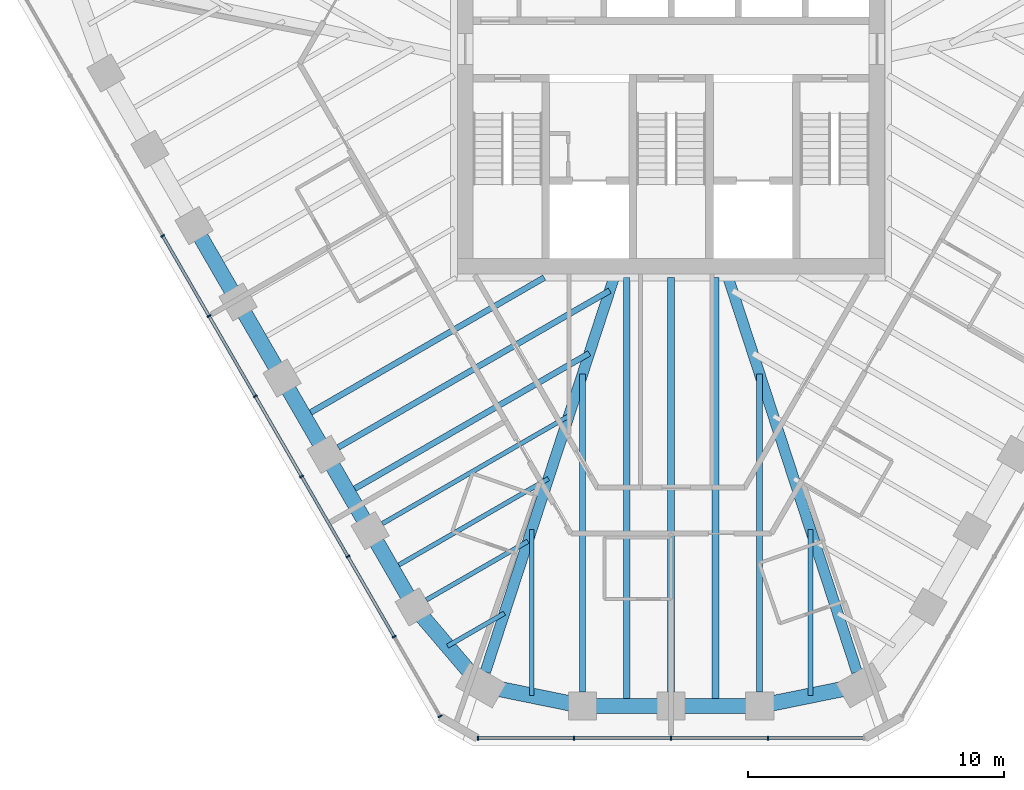
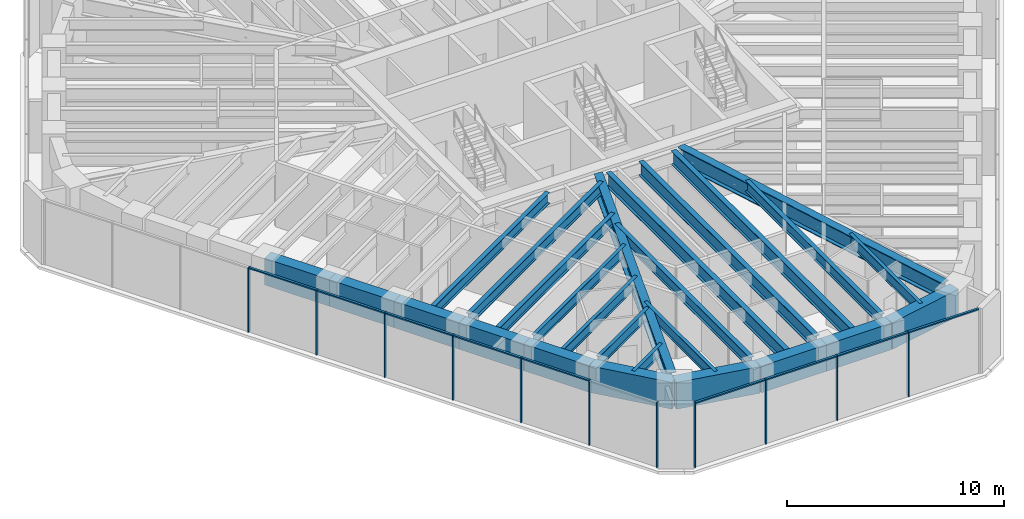
# One storey, part 2 of 14: 26 beams, 20 members, 2 elements without a shape of their own.
"""IFC4 building model written with IfcOpenShell, lengths in metres."""

from ifc_helpers import new_model, si_unit, direction, frame, origin, origin_2d, place, context, subcontext, project, spatial, rectangle, i_section, extrude, material, material_profile, profile_set, type_object, element, aggregate, save


model = new_model("IFC4")

# Units and contexts
model_context = context("Model", 3, precision=1e-05, world=origin(), true_north=direction((0.0, 1.0)))
body_context = subcontext(model_context, "Body", "Model", "MODEL_VIEW")
ifc_project = project(units=[si_unit("LENGTHUNIT", "METRE"), si_unit("AREAUNIT", "SQUARE_METRE"), si_unit("VOLUMEUNIT", "CUBIC_METRE"), si_unit("PLANEANGLEUNIT", "RADIAN"), si_unit("MASSUNIT", "GRAM", prefix="KILO")], contexts=[model_context])

# Site, building, storey
site_placement = place(None, origin())
site = spatial("IfcSite", under=ifc_project, at=site_placement, CompositionType="ELEMENT")
building_placement = place(site_placement, origin())
building = spatial("IfcBuilding", under=site, at=building_placement, Name="Sandreach Pilgrim Tower", CompositionType="ELEMENT")
storey_placement = place(building_placement, frame((0.0, 0.0, 272.199951171875)))
storey = spatial("IfcBuildingStorey", under=building, at=storey_placement, Name="L68", CompositionType="ELEMENT", Elevation=272.199951171875)

# Curtain wall, members
ifc_material_1 = material(Name="Aluminium framed curtain wall", Category="aluminium")
curtain_wall_type = type_object("IfcCurtainWallType", Name="Suite tower curtain wall", PredefinedType="NOTDEFINED", material=ifc_material_1)
curtain_wall_1_placement = place(storey_placement, origin())
curtain_wall_1 = element("IfcCurtainWall", 1, at=curtain_wall_1_placement, inside=storey, type_object=curtain_wall_type, Name="CW-4 L68 S", PredefinedType="NOTDEFINED")
ifc_material_2 = material(Name="Aluminium extrusion", Category="aluminium")
ifc_material_profile_1 = material_profile(ifc_material_2, rectangle(XDim=0.06005859375, YDim=0.159912109375, at=origin_2d()), Name="CW-4M 60X160")
ifc_profile_set_1 = profile_set([ifc_material_profile_1], Name="Aluminium extrusion")
member_type_1 = type_object("IfcMemberType", Name="CW-4 mullion", PredefinedType="MULLION", material=ifc_profile_set_1)
member_1_placement = place(storey_placement, frame((3.791748046875, -24.858154296875, 0.0), z_axis=(0.0, 0.0, 1.0), x_axis=(-1.0, 0.0, 0.0)))
member_1 = element("IfcMember", 2, at=member_1_placement, type_object=member_type_1, Name="CW-4 mullion 2", PredefinedType="MULLION", context=body_context, shape_type="SweptSolid", body=[
    extrude(rectangle(XDim=0.06005859375, YDim=0.159912109375, at=origin_2d()), origin(), (0.0, 0.0, 1.0), 3.64013671875),
])
member_2_placement = place(storey_placement, frame((0.0, -24.858154296875, 0.0), z_axis=(0.0, 0.0, 1.0), x_axis=(-1.0, 0.0, 0.0)))
member_2 = element("IfcMember", 3, at=member_2_placement, type_object=member_type_1, Name="CW-4 mullion 3", PredefinedType="MULLION", context=body_context, shape_type="SweptSolid", body=[
    extrude(rectangle(XDim=0.06005859375, YDim=0.159912109375, at=origin_2d()), origin(), (0.0, 0.0, 1.0), 3.64013671875),
])
member_3_placement = place(storey_placement, frame((-3.791748046875, -24.858154296875, 0.0), z_axis=(0.0, 0.0, 1.0), x_axis=(-1.0, 0.0, 0.0)))
member_3 = element("IfcMember", 4, at=member_3_placement, type_object=member_type_1, Name="CW-4 mullion 4", PredefinedType="MULLION", context=body_context, shape_type="SweptSolid", body=[
    extrude(rectangle(XDim=0.06005859375, YDim=0.159912109375, at=origin_2d()), origin(), (0.0, 0.0, 1.0), 3.64013671875),
])
member_4_placement = place(storey_placement, frame((-7.553466796875, -24.858154296875, 0.0), z_axis=(0.0, 0.0, 1.0), x_axis=(-1.0, 0.0, 0.0)))
member_4 = element("IfcMember", 5, at=member_4_placement, type_object=member_type_1, Name="CW-4 mullion 5", PredefinedType="MULLION", context=body_context, shape_type="SweptSolid", body=[
    extrude(rectangle(XDim=0.06005859375, YDim=0.159912109375, at=origin_2d()), origin(), (0.0, 0.0, 1.0), 3.64013671875),
])

curtain_wall_2_placement = place(storey_placement, origin())
curtain_wall_2 = element("IfcCurtainWall", 6, at=curtain_wall_2_placement, inside=storey, type_object=curtain_wall_type, Name="CW-4 L68 SW", PredefinedType="NOTDEFINED")
member_5_placement = place(storey_placement, frame((-9.035888671875, -24.001953125, 0.0), z_axis=(0.0, 0.0, 1.0), x_axis=(-0.5, 0.866025403784, 0.0)))
member_5 = element("IfcMember", 7, at=member_5_placement, type_object=member_type_1, Name="CW-4 mullion 1", PredefinedType="MULLION", context=body_context, shape_type="SweptSolid", body=[
    extrude(rectangle(XDim=0.06005859375, YDim=0.159912109375, at=origin_2d()), origin(), (0.0, 0.0, 1.0), 3.64013671875),
])
member_6_placement = place(storey_placement, frame((-10.83203125, -20.891357421875, 0.0), z_axis=(0.0, 0.0, 1.0), x_axis=(-0.5, 0.866025403784, 0.0)))
member_6 = element("IfcMember", 8, at=member_6_placement, type_object=member_type_1, Name="CW-4 mullion 2", PredefinedType="MULLION", context=body_context, shape_type="SweptSolid", body=[
    extrude(rectangle(XDim=0.06005859375, YDim=0.159912109375, at=origin_2d()), origin(), (0.0, 0.0, 1.0), 3.64013671875),
])
member_7_placement = place(storey_placement, frame((-12.642822265625, -17.7548828125, 0.0), z_axis=(0.0, 0.0, 1.0), x_axis=(-0.5, 0.866025403784, 0.0)))
member_7 = element("IfcMember", 9, at=member_7_placement, type_object=member_type_1, Name="CW-4 mullion 3", PredefinedType="MULLION", context=body_context, shape_type="SweptSolid", body=[
    extrude(rectangle(XDim=0.06005859375, YDim=0.159912109375, at=origin_2d()), origin(), (0.0, 0.0, 1.0), 3.64013671875),
])
member_8_placement = place(storey_placement, frame((-14.453857421875, -14.6181640625, 0.0), z_axis=(0.0, 0.0, 1.0), x_axis=(-0.5, 0.866025403784, 0.0)))
member_8 = element("IfcMember", 10, at=member_8_placement, type_object=member_type_1, Name="CW-4 mullion 4", PredefinedType="MULLION", context=body_context, shape_type="SweptSolid", body=[
    extrude(rectangle(XDim=0.06005859375, YDim=0.159912109375, at=origin_2d()), origin(), (0.0, 0.0, 1.0), 3.64013671875),
])
member_9_placement = place(storey_placement, frame((-16.2646484375, -11.4814453125, 0.0), z_axis=(0.0, 0.0, 1.0), x_axis=(-0.5, 0.866025403784, 0.0)))
member_9 = element("IfcMember", 11, at=member_9_placement, type_object=member_type_1, Name="CW-4 mullion 5", PredefinedType="MULLION", context=body_context, shape_type="SweptSolid", body=[
    extrude(rectangle(XDim=0.06005859375, YDim=0.159912109375, at=origin_2d()), origin(), (0.0, 0.0, 1.0), 3.64013671875),
])
member_10_placement = place(storey_placement, frame((-18.07568359375, -8.344970703125, 0.0), z_axis=(0.0, 0.0, 1.0), x_axis=(-0.5, 0.866025403784, 0.0)))
member_10 = element("IfcMember", 12, at=member_10_placement, type_object=member_type_1, Name="CW-4 mullion 6", PredefinedType="MULLION", context=body_context, shape_type="SweptSolid", body=[
    extrude(rectangle(XDim=0.06005859375, YDim=0.159912109375, at=origin_2d()), origin(), (0.0, 0.0, 1.0), 3.64013671875),
])
member_11_placement = place(storey_placement, frame((-19.886474609375, -5.208251953125, 0.0), z_axis=(0.0, 0.0, 1.0), x_axis=(-0.5, 0.866025403784, 0.0)))
member_11 = element("IfcMember", 13, at=member_11_placement, type_object=member_type_1, Name="CW-4 mullion 7", PredefinedType="MULLION", context=body_context, shape_type="SweptSolid", body=[
    extrude(rectangle(XDim=0.06005859375, YDim=0.159912109375, at=origin_2d()), origin(), (0.0, 0.0, 1.0), 3.64013671875),
])

# Member
ifc_material_3 = material(Name="Aluminium extrusion", Category="aluminium")
ifc_material_profile_2 = material_profile(ifc_material_3, rectangle(XDim=0.1201171875, YDim=0.070068359375, at=origin_2d()), Name="CW-4T 120X70")
ifc_profile_set_2 = profile_set([ifc_material_profile_2], Name="Aluminium extrusion")
member_type_2 = type_object("IfcMemberType", Name="CW-4 transom", PredefinedType="USERDEFINED", material=ifc_profile_set_2)
member_12_placement = place(storey_placement, frame((7.5234375, -24.858154296875, 3.60498046875), z_axis=(-1.0, 0.0, 0.0), x_axis=(0.0, -1.0, 0.0)))
member_12 = element("IfcMember", 14, at=member_12_placement, type_object=member_type_2, Name="CW-4 head transom 1", ObjectType="TRANSOM", PredefinedType="USERDEFINED", context=body_context, shape_type="SweptSolid", body=[
    extrude(rectangle(XDim=0.1201171875, YDim=0.070068359375, at=origin_2d()), origin(), (0.0, 0.0, 1.0), 3.70166015625),
])

member_13_placement = place(storey_placement, frame((3.76171875, -24.858154296875, 3.60498046875), z_axis=(-1.0, 0.0, 0.0), x_axis=(0.0, -1.0, 0.0)))
member_13 = element("IfcMember", 15, at=member_13_placement, type_object=member_type_2, Name="CW-4 head transom 2", ObjectType="TRANSOM", PredefinedType="USERDEFINED", context=body_context, shape_type="SweptSolid", body=[
    extrude(rectangle(XDim=0.1201171875, YDim=0.070068359375, at=origin_2d()), origin(), (0.0, 0.0, 1.0), 3.731689453125),
])

member_14_placement = place(storey_placement, frame((-0.030029296875, -24.858154296875, 3.60498046875), z_axis=(-1.0, 0.0, 0.0), x_axis=(0.0, -1.0, 0.0)))
member_14 = element("IfcMember", 16, at=member_14_placement, type_object=member_type_2, Name="CW-4 head transom 3", ObjectType="TRANSOM", PredefinedType="USERDEFINED", context=body_context, shape_type="SweptSolid", body=[
    extrude(rectangle(XDim=0.1201171875, YDim=0.070068359375, at=origin_2d()), origin(), (0.0, 0.0, 1.0), 3.731689453125),
])

member_15_placement = place(storey_placement, frame((-3.82177734375, -24.858154296875, 3.60498046875), z_axis=(-1.0, 0.0, 0.0), x_axis=(0.0, -1.0, 0.0)))
member_15 = element("IfcMember", 17, at=member_15_placement, type_object=member_type_2, Name="CW-4 head transom 4", ObjectType="TRANSOM", PredefinedType="USERDEFINED", context=body_context, shape_type="SweptSolid", body=[
    extrude(rectangle(XDim=0.1201171875, YDim=0.070068359375, at=origin_2d()), origin(), (0.0, 0.0, 1.0), 3.70166015625),
])

aggregate(curtain_wall_1, [member_1, member_2, member_3, member_4, member_12, member_13, member_14, member_15])

member_16_placement = place(storey_placement, frame((-10.846923828125, -20.865478515625, 3.60498046875), z_axis=(-0.500009219579, 0.866020080793, 0.0), x_axis=(-0.866020080793, -0.500009219579, 0.0)))
member_16 = element("IfcMember", 18, at=member_16_placement, type_object=member_type_2, Name="CW-4 head transom 2", ObjectType="TRANSOM", PredefinedType="USERDEFINED", context=body_context, shape_type="SweptSolid", body=[
    extrude(rectangle(XDim=0.1201171875, YDim=0.070068359375, at=origin_2d()), origin(), (0.0, 0.0, 1.0), 3.56201171875),
])

member_17_placement = place(storey_placement, frame((-12.657958984375, -17.728759765625, 3.60498046875), z_axis=(-0.499957811549, 0.866049759928, 0.0), x_axis=(-0.866049759928, -0.499957811549, 0.0)))
member_17 = element("IfcMember", 19, at=member_17_placement, type_object=member_type_2, Name="CW-4 head transom 3", ObjectType="TRANSOM", PredefinedType="USERDEFINED", context=body_context, shape_type="SweptSolid", body=[
    extrude(rectangle(XDim=0.1201171875, YDim=0.070068359375, at=origin_2d()), origin(), (0.0, 0.0, 1.0), 3.561767578125),
])

member_18_placement = place(storey_placement, frame((-14.46875, -14.59228515625, 3.60498046875), z_axis=(-0.500009219579, 0.866020080793, 0.0), x_axis=(-0.866020080793, -0.500009219579, 0.0)))
member_18 = element("IfcMember", 20, at=member_18_placement, type_object=member_type_2, Name="CW-4 head transom 4", ObjectType="TRANSOM", PredefinedType="USERDEFINED", context=body_context, shape_type="SweptSolid", body=[
    extrude(rectangle(XDim=0.1201171875, YDim=0.070068359375, at=origin_2d()), origin(), (0.0, 0.0, 1.0), 3.56201171875),
])

member_19_placement = place(storey_placement, frame((-16.27978515625, -11.45556640625, 3.60498046875), z_axis=(-0.499957811549, 0.866049759928, 0.0), x_axis=(-0.866049759928, -0.499957811549, 0.0)))
member_19 = element("IfcMember", 21, at=member_19_placement, type_object=member_type_2, Name="CW-4 head transom 5", ObjectType="TRANSOM", PredefinedType="USERDEFINED", context=body_context, shape_type="SweptSolid", body=[
    extrude(rectangle(XDim=0.1201171875, YDim=0.070068359375, at=origin_2d()), origin(), (0.0, 0.0, 1.0), 3.561767578125),
])

member_20_placement = place(storey_placement, frame((-18.090576171875, -8.31884765625, 3.60498046875), z_axis=(-0.500038900691, 0.866002943295, 0.0), x_axis=(-0.866002943295, -0.500038900691, 0.0)))
member_20 = element("IfcMember", 22, at=member_20_placement, type_object=member_type_2, Name="CW-4 head transom 6", ObjectType="TRANSOM", PredefinedType="USERDEFINED", context=body_context, shape_type="SweptSolid", body=[
    extrude(rectangle(XDim=0.1201171875, YDim=0.070068359375, at=origin_2d()), origin(), (0.0, 0.0, 1.0), 3.561767578125),
])

aggregate(curtain_wall_2, [member_5, member_6, member_7, member_8, member_9, member_10, member_11, member_16, member_17, member_18, member_19, member_20])

# Beams
ifc_material_4 = material(Name="Steel ASTM A992 Grade 50", Category="steel")
ifc_material_profile_3 = material_profile(ifc_material_4, i_section(OverallWidth=0.421630859375, OverallDepth=0.937255859375, WebThickness=0.0224609375, FlangeThickness=0.039794921875, at=origin_2d()), Name="W36X282")
ifc_profile_set_3 = profile_set([ifc_material_profile_3], Name="Steel ASTM A992 Grade 50")
beam_type_1 = type_object("IfcBeamType", Name="Corner girder W36X282", PredefinedType="BEAM", material=ifc_profile_set_3)
for number, where, z_axis, x_axis, name in (
    (23, (7.268310546875, -22.2666015625, 3.17138671875), (-0.310308570047, 0.950635887896, 0.0), (-0.950635887896, -0.310308570047, 0.0), "BM L68 CG22"),
    (24, (-7.268310546875, -22.2666015625, 3.17138671875), (0.310308570047, 0.950635887896, 0.0), (-0.950635887896, 0.310308570047, 0.0), "BM L68 CG26"),
):
    element("IfcBeam", number, at=place(storey_placement, frame(where, z_axis=z_axis, x_axis=x_axis)), inside=storey, type_object=beam_type_1, Name=name, PredefinedType="BEAM", context=body_context, shape_type="SweptSolid", body=[
        extrude(i_section(OverallWidth=0.421630859375, OverallDepth=0.937255859375, WebThickness=0.0224609375, FlangeThickness=0.039794921875, at=origin_2d()), origin(), (0.0, 0.0, 1.0), 16.375),
    ])
ifc_material_5 = material(Name="Steel ASTM A992 Grade 50", Category="steel")
ifc_material_profile_4 = material_profile(ifc_material_5, i_section(OverallWidth=0.1787109375, OverallDepth=0.60205078125, WebThickness=0.010986328125, FlangeThickness=0.014892578125, at=origin_2d()), Name="W24X62")
ifc_profile_set_4 = profile_set([ifc_material_profile_4], Name="Steel ASTM A992 Grade 50")
beam_type_2 = type_object("IfcBeamType", Name="Floor beam W24X62", PredefinedType="BEAM", material=ifc_profile_set_4)
beam_1_placement = place(storey_placement, frame((-9.573974609375, -19.450439453125, 3.339111328125), z_axis=(0.866024320471, 0.50000187635, 0.0), x_axis=(-0.50000187635, 0.866024320471, 0.0)))
element("IfcBeam", 25, at=beam_1_placement, inside=storey, type_object=beam_type_2, Name="BM L68 F27", PredefinedType="BEAM", context=body_context, shape_type="SweptSolid", body=[
    extrude(i_section(OverallWidth=0.1787109375, OverallDepth=0.60205078125, WebThickness=0.010986328125, FlangeThickness=0.014892578125, at=origin_2d()), origin(), (0.0, 0.0, 1.0), 4.58837890625),
])
beam_2_placement = place(storey_placement, frame((-11.29638671875, -16.466796875, 3.339111328125), z_axis=(0.866026819143, 0.499997548519, 0.0), x_axis=(-0.499997548519, 0.866026819143, 0.0)))
element("IfcBeam", 26, at=beam_2_placement, inside=storey, type_object=beam_type_2, Name="BM L68 F28", PredefinedType="BEAM", context=body_context, shape_type="SweptSolid", body=[
    extrude(i_section(OverallWidth=0.1787109375, OverallDepth=0.60205078125, WebThickness=0.010986328125, FlangeThickness=0.014892578125, at=origin_2d()), origin(), (0.0, 0.0, 1.0), 8.4248046875),
])
for number, where, z_axis, x_axis, name in (
    (27, (5.452392578125, -23.19384765625, 3.339111328125), (0.0, 1.0, 0.0), (-1.0, 0.0, 0.0), "BM L68 FM22"),
    (28, (-5.452392578125, -23.19384765625, 3.339111328125), (0.0, 1.0, 0.0), (-1.0, 0.0, 0.0), "BM L68 FM25"),
):
    element("IfcBeam", number, at=place(storey_placement, frame(where, z_axis=z_axis, x_axis=x_axis)), inside=storey, type_object=beam_type_2, Name=name, PredefinedType="BEAM", context=body_context, shape_type="SweptSolid", body=[
        extrude(i_section(OverallWidth=0.1787109375, OverallDepth=0.60205078125, WebThickness=0.010986328125, FlangeThickness=0.014892578125, at=origin_2d()), origin(), (0.0, 0.0, 1.0), 6.49072265625),
    ])
beam_3_placement = place(storey_placement, frame((-8.74462890625, -21.25732421875, 3.339111328125), z_axis=(0.866041575714, 0.49997198835, 0.0), x_axis=(-0.49997198835, 0.866041575714, 0.0)))
element("IfcBeam", 29, at=beam_3_placement, inside=storey, type_object=beam_type_2, Name="BM L68 FM26", PredefinedType="BEAM", context=body_context, shape_type="SweptSolid", body=[
    extrude(i_section(OverallWidth=0.1787109375, OverallDepth=0.60205078125, WebThickness=0.010986328125, FlangeThickness=0.014892578125, at=origin_2d()), origin(), (0.0, 0.0, 1.0), 2.569091796875),
])
beam_4_placement = place(storey_placement, frame((-10.911376953125, -18.233642578125, 3.339111328125), z_axis=(0.866020229007, 0.50000896287, 0.0), x_axis=(-0.50000896287, 0.866020229007, 0.0)))
element("IfcBeam", 30, at=beam_4_placement, inside=storey, type_object=beam_type_2, Name="BM L68 FM27", PredefinedType="BEAM", context=body_context, shape_type="SweptSolid", body=[
    extrude(i_section(OverallWidth=0.1787109375, OverallDepth=0.60205078125, WebThickness=0.010986328125, FlangeThickness=0.014892578125, at=origin_2d()), origin(), (0.0, 0.0, 1.0), 7.056396484375),
])
ifc_material_6 = material(Name="Steel ASTM A992 Grade 50", Category="steel")
ifc_material_profile_5 = material_profile(ifc_material_6, i_section(OverallWidth=0.23046875, OverallDepth=0.6171875, WebThickness=0.01318359375, FlangeThickness=0.022216796875, at=origin_2d()), Name="W24X94")
ifc_profile_set_5 = profile_set([ifc_material_profile_5], Name="Steel ASTM A992 Grade 50")
beam_type_3 = type_object("IfcBeamType", Name="Floor beam W24X94", PredefinedType="BEAM", material=ifc_profile_set_5)
for number, where, z_axis, x_axis, name in (
    (31, (3.465576171875, -23.048095703125, 3.33154296875), (0.0, 1.0, 0.0), (-1.0, 0.0, 0.0), "BM L68 F23"),
    (32, (-3.465576171875, -23.048095703125, 3.33154296875), (0.0, 1.0, 0.0), (-1.0, 0.0, 0.0), "BM L68 F25"),
):
    element("IfcBeam", number, at=place(storey_placement, frame(where, z_axis=z_axis, x_axis=x_axis)), inside=storey, type_object=beam_type_3, Name=name, PredefinedType="BEAM", context=body_context, shape_type="SweptSolid", body=[
        extrude(i_section(OverallWidth=0.23046875, OverallDepth=0.6171875, WebThickness=0.01318359375, FlangeThickness=0.022216796875, at=origin_2d()), origin(), (0.0, 0.0, 1.0), 12.431396484375),
    ])
beam_5_placement = place(storey_placement, frame((-13.018798828125, -13.4833984375, 3.33154296875), z_axis=(0.866019132277, 0.500010862412, 0.0), x_axis=(-0.500010862412, 0.866019132277, 0.0)))
element("IfcBeam", 33, at=beam_5_placement, inside=storey, type_object=beam_type_3, Name="BM L68 F29", PredefinedType="BEAM", context=body_context, shape_type="SweptSolid", body=[
    extrude(i_section(OverallWidth=0.23046875, OverallDepth=0.6171875, WebThickness=0.01318359375, FlangeThickness=0.022216796875, at=origin_2d()), origin(), (0.0, 0.0, 1.0), 12.261474609375),
])
beam_6_placement = place(storey_placement, frame((-12.634033203125, -15.250244140625, 3.33154296875), z_axis=(0.866019500887, 0.500010223979, 0.0), x_axis=(-0.500010223979, 0.866019500887, 0.0)))
element("IfcBeam", 34, at=beam_6_placement, inside=storey, type_object=beam_type_3, Name="BM L68 FM28", PredefinedType="BEAM", context=body_context, shape_type="SweptSolid", body=[
    extrude(i_section(OverallWidth=0.23046875, OverallDepth=0.6171875, WebThickness=0.01318359375, FlangeThickness=0.022216796875, at=origin_2d()), origin(), (0.0, 0.0, 1.0), 10.893310546875),
])
beam_7_placement = place(storey_placement, frame((-14.3564453125, -12.2666015625, 3.33154296875), z_axis=(0.866026660645, 0.499997823047, 0.0), x_axis=(-0.499997823047, 0.866026660645, 0.0)))
element("IfcBeam", 35, at=beam_7_placement, inside=storey, type_object=beam_type_3, Name="BM L68 FM29", PredefinedType="BEAM", context=body_context, shape_type="SweptSolid", body=[
    extrude(i_section(OverallWidth=0.23046875, OverallDepth=0.6171875, WebThickness=0.01318359375, FlangeThickness=0.022216796875, at=origin_2d()), origin(), (0.0, 0.0, 1.0), 10.8466796875),
])
ifc_material_7 = material(Name="Steel ASTM A992 Grade 50", Category="steel")
ifc_material_profile_6 = material_profile(ifc_material_7, i_section(OverallWidth=0.2666015625, OverallDepth=0.77978515625, WebThickness=0.0166015625, FlangeThickness=0.030029296875, at=origin_2d()), Name="W30X148")
ifc_profile_set_6 = profile_set([ifc_material_profile_6], Name="Steel ASTM A992 Grade 50")
beam_type_4 = type_object("IfcBeamType", Name="Floor beam W30X148", PredefinedType="BEAM", material=ifc_profile_set_6)
beam_8_placement = place(storey_placement, frame((0.0, -23.048095703125, 3.250244140625), z_axis=(0.0, 1.0, 0.0), x_axis=(-1.0, 0.0, 0.0)))
element("IfcBeam", 36, at=beam_8_placement, inside=storey, type_object=beam_type_4, Name="BM L68 F24", PredefinedType="BEAM", context=body_context, shape_type="SweptSolid", body=[
    extrude(i_section(OverallWidth=0.2666015625, OverallDepth=0.77978515625, WebThickness=0.0166015625, FlangeThickness=0.030029296875, at=origin_2d()), origin(), (0.0, 0.0, 1.0), 16.204833984375),
])
for number, where, z_axis, x_axis, name in (
    (37, (1.732666015625, -23.59814453125, 3.250244140625), (0.0, 1.0, 0.0), (-1.0, 0.0, 0.0), "BM L68 FM23"),
    (38, (-1.732666015625, -23.59814453125, 3.250244140625), (0.0, 1.0, 0.0), (-1.0, 0.0, 0.0), "BM L68 FM24"),
):
    element("IfcBeam", number, at=place(storey_placement, frame(where, z_axis=z_axis, x_axis=x_axis)), inside=storey, type_object=beam_type_4, Name=name, PredefinedType="BEAM", context=body_context, shape_type="SweptSolid", body=[
        extrude(i_section(OverallWidth=0.2666015625, OverallDepth=0.77978515625, WebThickness=0.0166015625, FlangeThickness=0.030029296875, at=origin_2d()), origin(), (0.0, 0.0, 1.0), 16.7548828125),
    ])
ifc_material_8 = material(Name="Concrete 10000 psi", Category="concrete")
ifc_material_profile_7 = material_profile(ifc_material_8, rectangle(XDim=0.60009765625, YDim=1.5, at=origin_2d()), Name="RC600X1500")
ifc_profile_set_7 = profile_set([ifc_material_profile_7], Name="Concrete 10000 psi")
beam_type_5 = type_object("IfcBeamType", Name="Spandrel beam RC600X1500", PredefinedType="SPANDREL", material=ifc_profile_set_7)
beam_9_placement = place(storey_placement, frame((7.439208984375, -22.78955078125, 2.89013671875), z_axis=(-0.979917524616, -0.199403222016, 0.0), x_axis=(0.199403222016, -0.979917524616, 0.0)))
element("IfcBeam", 39, at=beam_9_placement, inside=storey, type_object=beam_type_5, Name="BM L68 SP22", PredefinedType="SPANDREL", context=body_context, shape_type="SweptSolid", body=[
    extrude(rectangle(XDim=0.60009765625, YDim=1.5, at=origin_2d()), origin(), (0.0, 0.0, 1.0), 4.05517578125),
])
for number, where, z_axis, x_axis, name in (
    (40, (3.465576171875, -23.59814453125, 2.89013671875), (-1.0, 0.0, 0.0), (0.0, -1.0, 0.0), "BM L68 SP23"),
    (41, (0.0, -23.59814453125, 2.89013671875), (-1.0, 0.0, 0.0), (0.0, -1.0, 0.0), "BM L68 SP24"),
):
    element("IfcBeam", number, at=place(storey_placement, frame(where, z_axis=z_axis, x_axis=x_axis)), inside=storey, type_object=beam_type_5, Name=name, PredefinedType="SPANDREL", context=body_context, shape_type="SweptSolid", body=[
        extrude(rectangle(XDim=0.60009765625, YDim=1.5, at=origin_2d()), origin(), (0.0, 0.0, 1.0), 3.465576171875),
    ])
beam_10_placement = place(storey_placement, frame((-3.465576171875, -23.59814453125, 2.89013671875), z_axis=(-0.979917524616, 0.199403222016, 0.0), x_axis=(-0.199403222016, -0.979917524616, 0.0)))
element("IfcBeam", 42, at=beam_10_placement, inside=storey, type_object=beam_type_5, Name="BM L68 SP25", PredefinedType="SPANDREL", context=body_context, shape_type="SweptSolid", body=[
    extrude(rectangle(XDim=0.60009765625, YDim=1.5, at=origin_2d()), origin(), (0.0, 0.0, 1.0), 4.05517578125),
])
beam_11_placement = place(storey_placement, frame((-7.439208984375, -22.78955078125, 2.89013671875), z_axis=(-0.648586192707, 0.761141215958, 0.0), x_axis=(-0.761141215958, -0.648586192707, 0.0)))
element("IfcBeam", 43, at=beam_11_placement, inside=storey, type_object=beam_type_5, Name="BM L68 SP26", PredefinedType="SPANDREL", context=body_context, shape_type="SweptSolid", body=[
    extrude(rectangle(XDim=0.60009765625, YDim=1.5, at=origin_2d()), origin(), (0.0, 0.0, 1.0), 4.02587890625),
])
for number, where, z_axis, x_axis, name in (
    (44, (-10.05029296875, -19.725341796875, 2.89013671875), (-0.499988291006, 0.866032163869, 0.0), (-0.866032163869, -0.499988291006, 0.0), "BM L68 SP27"),
    (45, (-11.772705078125, -16.741943359375, 2.89013671875), (-0.499988291006, 0.866032163869, 0.0), (-0.866032163869, -0.499988291006, 0.0), "BM L68 SP28"),
):
    element("IfcBeam", number, at=place(storey_placement, frame(where, z_axis=z_axis, x_axis=x_axis)), inside=storey, type_object=beam_type_5, Name=name, PredefinedType="SPANDREL", context=body_context, shape_type="SweptSolid", body=[
        extrude(rectangle(XDim=0.60009765625, YDim=1.5, at=origin_2d()), origin(), (0.0, 0.0, 1.0), 3.44482421875),
    ])
beam_12_placement = place(storey_placement, frame((-13.4951171875, -13.758544921875, 2.89013671875), z_axis=(-0.500010754882, 0.866019194361, 0.0), x_axis=(-0.866019194361, -0.500010754882, 0.0)))
element("IfcBeam", 46, at=beam_12_placement, inside=storey, type_object=beam_type_5, Name="BM L68 SP29", PredefinedType="SPANDREL", context=body_context, shape_type="SweptSolid", body=[
    extrude(rectangle(XDim=0.60009765625, YDim=1.5, at=origin_2d()), origin(), (0.0, 0.0, 1.0), 3.4453125),
])
beam_13_placement = place(storey_placement, frame((-15.2177734375, -10.77490234375, 2.89013671875), z_axis=(-0.499988291006, 0.866032163869, 0.0), x_axis=(-0.866032163869, -0.499988291006, 0.0)))
element("IfcBeam", 47, at=beam_13_placement, inside=storey, type_object=beam_type_5, Name="BM L68 SP30", PredefinedType="SPANDREL", context=body_context, shape_type="SweptSolid", body=[
    extrude(rectangle(XDim=0.60009765625, YDim=1.5, at=origin_2d()), origin(), (0.0, 0.0, 1.0), 3.44482421875),
])
beam_14_placement = place(storey_placement, frame((-16.940185546875, -7.79150390625, 2.89013671875), z_axis=(-0.500041441558, 0.866001476168, 0.0), x_axis=(-0.866001476168, -0.500041441558, 0.0)))
element("IfcBeam", 48, at=beam_14_placement, inside=storey, type_object=beam_type_5, Name="BM L68 SP31", PredefinedType="SPANDREL", context=body_context, shape_type="SweptSolid", body=[
    extrude(rectangle(XDim=0.60009765625, YDim=1.5, at=origin_2d()), origin(), (0.0, 0.0, 1.0), 3.445068359375),
])

save(model, "model.ifc")
